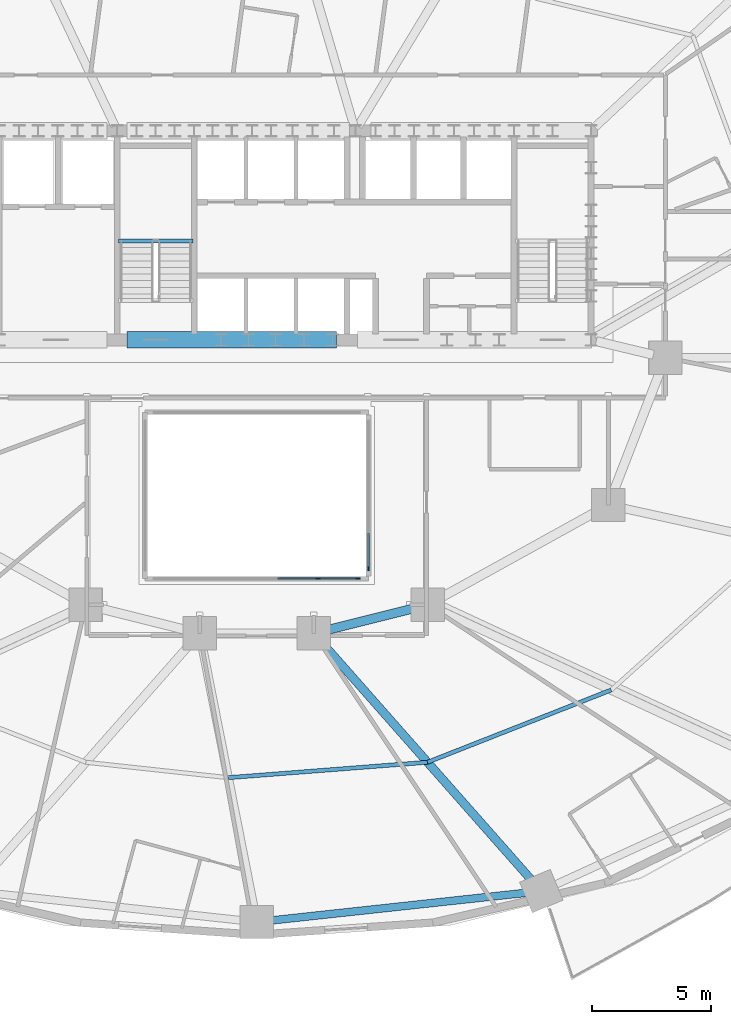
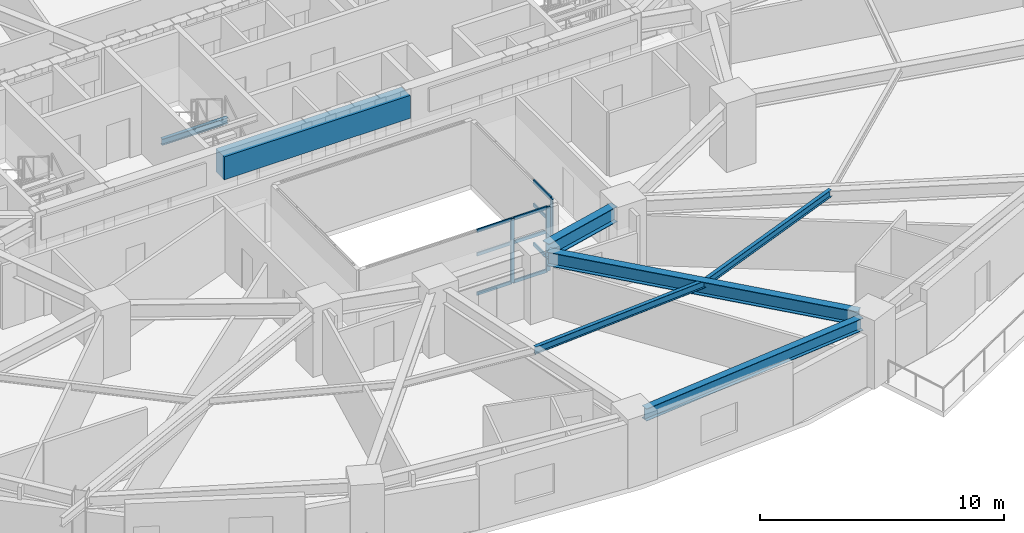
# One storey, part 5 of 17: 12 members, 7 beams, 2 elements without a shape of their own.
"""IFC4 building model written with IfcOpenShell, lengths in metres."""

from ifc_helpers import new_model, si_unit, direction, frame, origin, origin_2d, place, context, subcontext, project, spatial, rectangle, i_section, extrude, material, material_profile, profile_set, type_object, element, aggregate, save


model = new_model("IFC4")

# Units and contexts
model_context = context("Model", 3, precision=1e-05, world=origin(), true_north=direction((0.0, 1.0)))
body_context = subcontext(model_context, "Body", "Model", "MODEL_VIEW")
ifc_project = project(units=[si_unit("LENGTHUNIT", "METRE"), si_unit("AREAUNIT", "SQUARE_METRE"), si_unit("VOLUMEUNIT", "CUBIC_METRE"), si_unit("PLANEANGLEUNIT", "RADIAN"), si_unit("MASSUNIT", "GRAM", prefix="KILO")], contexts=[model_context])

# Site, building, storey
site_placement = place(None, origin())
site = spatial("IfcSite", under=ifc_project, at=site_placement, CompositionType="ELEMENT")
building_placement = place(site_placement, origin())
building = spatial("IfcBuilding", under=site, at=building_placement, Name="Haldorwick Loom Tower", CompositionType="ELEMENT")
storey_placement = place(building_placement, frame((0.0, 0.0, 58.5)))
storey = spatial("IfcBuildingStorey", under=building, at=storey_placement, Name="L15", CompositionType="ELEMENT", Elevation=58.5)

# Curtain wall, members
ifc_material_1 = material(Name="Thermally Broken Anodized Aluminium Curtain Wall Framing", Category="aluminium")
curtain_wall_type = type_object("IfcCurtainWallType", Name="ARC-CW-03", PredefinedType="NOTDEFINED", material=ifc_material_1)
curtain_wall_1_placement = place(storey_placement, origin())
curtain_wall_1 = element("IfcCurtainWall", 1, at=curtain_wall_1_placement, inside=storey, type_object=curtain_wall_type, Name="L15 Atrium Glazed Screen S", PredefinedType="NOTDEFINED")
ifc_material_profile_1 = material_profile(ifc_material_1, rectangle(XDim=0.06591796875, YDim=0.18505859375, at=origin_2d()), Name="ALU_MUL_66X185", Category="aluminium")
ifc_profile_set_1 = profile_set([ifc_material_profile_1], Name="Thermally Broken Anodized Aluminium Curtain Wall Framing")
member_type_1 = type_object("IfcMemberType", Name="ARC-CWM-03", PredefinedType="MULLION", material=ifc_profile_set_1)
member_1_placement = place(storey_placement, frame((40.26708984375, 16.699951171875, 0.0), z_axis=(0.0, 0.0, 1.0), x_axis=(0.0, -1.0, 0.0)))
member_1 = element("IfcMember", 2, at=member_1_placement, type_object=member_type_1, Name="CW-03 mullion 1", PredefinedType="MULLION", context=body_context, shape_type="SweptSolid", body=[
    extrude(rectangle(XDim=0.06591796875, YDim=0.18505859375, at=origin_2d()), origin(), (0.0, 0.0, 1.0), 3.2099609375),
])
member_2_placement = place(storey_placement, frame((38.580078125, 16.699951171875, 0.0), z_axis=(0.0, 0.0, 1.0), x_axis=(0.0, -1.0, 0.0)))
member_2 = element("IfcMember", 3, at=member_2_placement, type_object=member_type_1, Name="CW-03 mullion 2", PredefinedType="MULLION", context=body_context, shape_type="SweptSolid", body=[
    extrude(rectangle(XDim=0.06591796875, YDim=0.18505859375, at=origin_2d()), origin(), (0.0, 0.0, 1.0), 3.2099609375),
])

# Curtain wall, member
curtain_wall_2_placement = place(storey_placement, origin())
curtain_wall_2 = element("IfcCurtainWall", 4, at=curtain_wall_2_placement, inside=storey, type_object=curtain_wall_type, Name="L15 Atrium Glazed Screen E", PredefinedType="NOTDEFINED")
member_3_placement = place(storey_placement, frame((40.699951171875, 17.133056640625, 0.0), z_axis=(0.0, 0.0, 1.0), x_axis=(1.0, 0.0, 0.0)))
member_3 = element("IfcMember", 5, at=member_3_placement, type_object=member_type_1, Name="CW-03 mullion 5", PredefinedType="MULLION", context=body_context, shape_type="SweptSolid", body=[
    extrude(rectangle(XDim=0.06591796875, YDim=0.18505859375, at=origin_2d()), origin(), (0.0, 0.0, 1.0), 3.2099609375),
])

# Member
ifc_material_profile_2 = material_profile(ifc_material_1, rectangle(XDim=0.06591796875, YDim=0.1650390625, at=origin_2d()), Name="ALU_TRN_66X165", Category="aluminium")
ifc_profile_set_2 = profile_set([ifc_material_profile_2], Name="Thermally Broken Anodized Aluminium Curtain Wall Framing")
member_type_2 = type_object("IfcMemberType", Name="ARC-CWT-03", PredefinedType="USERDEFINED", material=ifc_profile_set_2)
member_4_placement = place(storey_placement, frame((40.23388671875, 16.699951171875, 0.032958984375), z_axis=(-1.0, 0.0, 0.0), x_axis=(0.0, -1.0, 0.0)))
member_4 = element("IfcMember", 6, at=member_4_placement, type_object=member_type_2, Name="CW-03 transom 1.1", ObjectType="TRANSOM", PredefinedType="USERDEFINED", context=body_context, shape_type="SweptSolid", body=[
    extrude(rectangle(XDim=0.06591796875, YDim=0.1650390625, at=origin_2d()), origin(), (0.0, 0.0, 1.0), 1.620849609375),
])

member_5_placement = place(storey_placement, frame((40.23388671875, 16.699951171875, 2.0), z_axis=(-1.0, 0.0, 0.0), x_axis=(0.0, -1.0, 0.0)))
member_5 = element("IfcMember", 7, at=member_5_placement, type_object=member_type_2, Name="CW-03 transom 1.2", ObjectType="TRANSOM", PredefinedType="USERDEFINED", context=body_context, shape_type="SweptSolid", body=[
    extrude(rectangle(XDim=0.06591796875, YDim=0.1650390625, at=origin_2d()), origin(), (0.0, 0.0, 1.0), 1.620849609375),
])

member_6_placement = place(storey_placement, frame((40.23388671875, 16.699951171875, 3.177001953125), z_axis=(-1.0, 0.0, 0.0), x_axis=(0.0, -1.0, 0.0)))
member_6 = element("IfcMember", 8, at=member_6_placement, type_object=member_type_2, Name="CW-03 transom 1.3", ObjectType="TRANSOM", PredefinedType="USERDEFINED", context=body_context, shape_type="SweptSolid", body=[
    extrude(rectangle(XDim=0.06591796875, YDim=0.1650390625, at=origin_2d()), origin(), (0.0, 0.0, 1.0), 1.620849609375),
])

member_7_placement = place(storey_placement, frame((38.547119140625, 16.699951171875, 0.032958984375), z_axis=(-1.0, 0.0, 0.0), x_axis=(0.0, -1.0, 0.0)))
member_7 = element("IfcMember", 9, at=member_7_placement, type_object=member_type_2, Name="CW-03 transom 2.1", ObjectType="TRANSOM", PredefinedType="USERDEFINED", context=body_context, shape_type="SweptSolid", body=[
    extrude(rectangle(XDim=0.06591796875, YDim=0.1650390625, at=origin_2d()), origin(), (0.0, 0.0, 1.0), 1.654052734375),
])

member_8_placement = place(storey_placement, frame((38.547119140625, 16.699951171875, 2.0), z_axis=(-1.0, 0.0, 0.0), x_axis=(0.0, -1.0, 0.0)))
member_8 = element("IfcMember", 10, at=member_8_placement, type_object=member_type_2, Name="CW-03 transom 2.2", ObjectType="TRANSOM", PredefinedType="USERDEFINED", context=body_context, shape_type="SweptSolid", body=[
    extrude(rectangle(XDim=0.06591796875, YDim=0.1650390625, at=origin_2d()), origin(), (0.0, 0.0, 1.0), 1.654052734375),
])

member_9_placement = place(storey_placement, frame((38.547119140625, 16.699951171875, 3.177001953125), z_axis=(-1.0, 0.0, 0.0), x_axis=(0.0, -1.0, 0.0)))
member_9 = element("IfcMember", 11, at=member_9_placement, type_object=member_type_2, Name="CW-03 transom 2.3", ObjectType="TRANSOM", PredefinedType="USERDEFINED", context=body_context, shape_type="SweptSolid", body=[
    extrude(rectangle(XDim=0.06591796875, YDim=0.1650390625, at=origin_2d()), origin(), (0.0, 0.0, 1.0), 1.654052734375),
])

aggregate(curtain_wall_1, [member_1, member_2, member_4, member_5, member_6, member_7, member_8, member_9])

member_10_placement = place(storey_placement, frame((40.699951171875, 18.616943359375, 0.032958984375), z_axis=(0.0, -1.0, 0.0), x_axis=(1.0, 0.0, 0.0)))
member_10 = element("IfcMember", 12, at=member_10_placement, type_object=member_type_2, Name="CW-03 transom 4.1", ObjectType="TRANSOM", PredefinedType="USERDEFINED", context=body_context, shape_type="SweptSolid", body=[
    extrude(rectangle(XDim=0.06591796875, YDim=0.1650390625, at=origin_2d()), origin(), (0.0, 0.0, 1.0), 1.450927734375),
])

member_11_placement = place(storey_placement, frame((40.699951171875, 18.616943359375, 2.0), z_axis=(0.0, -1.0, 0.0), x_axis=(1.0, 0.0, 0.0)))
member_11 = element("IfcMember", 13, at=member_11_placement, type_object=member_type_2, Name="CW-03 transom 4.2", ObjectType="TRANSOM", PredefinedType="USERDEFINED", context=body_context, shape_type="SweptSolid", body=[
    extrude(rectangle(XDim=0.06591796875, YDim=0.1650390625, at=origin_2d()), origin(), (0.0, 0.0, 1.0), 1.450927734375),
])

member_12_placement = place(storey_placement, frame((40.699951171875, 18.616943359375, 3.177001953125), z_axis=(0.0, -1.0, 0.0), x_axis=(1.0, 0.0, 0.0)))
member_12 = element("IfcMember", 14, at=member_12_placement, type_object=member_type_2, Name="CW-03 transom 4.3", ObjectType="TRANSOM", PredefinedType="USERDEFINED", context=body_context, shape_type="SweptSolid", body=[
    extrude(rectangle(XDim=0.06591796875, YDim=0.1650390625, at=origin_2d()), origin(), (0.0, 0.0, 1.0), 1.450927734375),
])

aggregate(curtain_wall_2, [member_3, member_10, member_11, member_12])

# Beams
ifc_material_2 = material(Name="Concrete C60 (60 MPa)", Category="concrete")
ifc_material_profile_3 = material_profile(ifc_material_2, rectangle(XDim=0.699951171875, YDim=1.14990234375, at=origin_2d()), Name="RC700X1150", Category="concrete")
ifc_profile_set_3 = profile_set([ifc_material_profile_3], Name="Concrete C60 (60 MPa)")
beam_type_1 = type_object("IfcBeamType", Name="STR-BM-CB1150", PredefinedType="LINTEL", material=ifc_profile_set_3)
beam_1_placement = place(storey_placement, frame((30.550048828125, 26.75, 2.635009765625), z_axis=(1.0, 0.0, 0.0), x_axis=(0.0, 1.0, 0.0)))
element("IfcBeam", 15, at=beam_1_placement, inside=storey, type_object=beam_type_1, Name="L15 Core Coupling Beam CB-S2", PredefinedType="LINTEL", context=body_context, shape_type="SweptSolid", body=[
    extrude(rectangle(XDim=0.699951171875, YDim=1.14990234375, at=origin_2d()), origin(), (0.0, 0.0, 1.0), 8.800048828125),
])
ifc_material_3 = material(Name="Steel CSA G40.21 350W", Category="steel")
ifc_material_profile_4 = material_profile(ifc_material_3, i_section(OverallWidth=0.172119140625, OverallDepth=0.35791015625, WebThickness=0.0078125, FlangeThickness=0.01318359375, at=origin_2d()), Name="W360X57", Category="steel")
ifc_profile_set_4 = profile_set([ifc_material_profile_4], Name="Steel CSA G40.21 350W")
beam_type_2 = type_object("IfcBeamType", Name="STR-BM-J360", PredefinedType="JOIST", material=ifc_profile_set_4)
beam_2_placement = place(storey_placement, frame((34.800048828125, 8.324951171875, 3.031005859375), z_axis=(0.99701252039, 0.077240107368, 0.0), x_axis=(-0.077240107368, 0.99701252039, 0.0)))
element("IfcBeam", 16, at=beam_2_placement, inside=storey, type_object=beam_type_2, Name="L15 Mid-Bay Secondary Joist 13", PredefinedType="JOIST", context=body_context, shape_type="SweptSolid", body=[
    extrude(i_section(OverallWidth=0.172119140625, OverallDepth=0.35791015625, WebThickness=0.0078125, FlangeThickness=0.01318359375, at=origin_2d()), origin(), (0.0, 0.0, 1.0), 8.4140625),
])
beam_3_placement = place(storey_placement, frame((43.18896484375, 8.974853515625, 3.031005859375), z_axis=(0.930584838237, 0.366076301941, 0.0), x_axis=(-0.366076301941, 0.930584838237, 0.0)))
element("IfcBeam", 17, at=beam_3_placement, inside=storey, type_object=beam_type_2, Name="L15 Mid-Bay Secondary Joist 14", PredefinedType="JOIST", context=body_context, shape_type="SweptSolid", body=[
    extrude(i_section(OverallWidth=0.172119140625, OverallDepth=0.35791015625, WebThickness=0.0078125, FlangeThickness=0.01318359375, at=origin_2d()), origin(), (0.0, 0.0, 1.0), 8.302490234375),
])
ifc_material_profile_5 = material_profile(ifc_material_3, i_section(OverallWidth=0.324951171875, OverallDepth=0.615966796875, WebThickness=0.013916015625, FlangeThickness=0.021484375, at=origin_2d()), Name="W610X174", Category="steel")
ifc_profile_set_5 = profile_set([ifc_material_profile_5], Name="Steel CSA G40.21 350W")
beam_type_3 = type_object("IfcBeamType", Name="STR-BM-SP610", PredefinedType="SPANDREL", material=ifc_profile_set_5)
beam_4_placement = place(storey_placement, frame((36.51708984375, 2.30615234375, 2.902099609375), z_axis=(0.994164438636, 0.107875247167, 0.0), x_axis=(-0.107875247167, 0.994164438636, 0.0)))
element("IfcBeam", 18, at=beam_4_placement, inside=storey, type_object=beam_type_3, Name="L15 Perimeter Spandrel 13", PredefinedType="SPANDREL", context=body_context, shape_type="SweptSolid", body=[
    extrude(i_section(OverallWidth=0.324951171875, OverallDepth=0.615966796875, WebThickness=0.013916015625, FlangeThickness=0.021484375, at=origin_2d()), origin(), (0.0, 0.0, 1.0), 11.008056640625),
])
ifc_material_profile_6 = material_profile(ifc_material_3, i_section(OverallWidth=0.166015625, OverallDepth=0.31298828125, WebThickness=0.006591796875, FlangeThickness=0.01123046875, at=origin_2d()), Name="W310X45", Category="steel")
ifc_profile_set_6 = profile_set([ifc_material_profile_6], Name="Steel CSA G40.21 350W")
beam_type_4 = type_object("IfcBeamType", Name="STR-BM-STRM", PredefinedType="BEAM", material=ifc_profile_set_6)
beam_5_placement = place(storey_placement, frame((30.18994140625, 30.919921875, 1.368408203125), z_axis=(1.0, 0.0, 0.0), x_axis=(0.0, 1.0, 0.0)))
element("IfcBeam", 19, at=beam_5_placement, inside=storey, type_object=beam_type_4, Name="L15 Stair ST-03 Half-Landing Trimmer 1", PredefinedType="BEAM", context=body_context, shape_type="SweptSolid", body=[
    extrude(i_section(OverallWidth=0.166015625, OverallDepth=0.31298828125, WebThickness=0.006591796875, FlangeThickness=0.01123046875, at=origin_2d()), origin(), (0.0, 0.0, 1.0), 3.1201171875),
])
ifc_material_profile_7 = material_profile(ifc_material_3, i_section(OverallWidth=0.35498046875, OverallDepth=0.695068359375, WebThickness=0.015380859375, FlangeThickness=0.02490234375, at=origin_2d()), Name="W690X217", Category="steel")
ifc_profile_set_7 = profile_set([ifc_material_profile_7], Name="Steel CSA G40.21 350W")
beam_type_5 = type_object("IfcBeamType", Name="STR-BM-W690", PredefinedType="BEAM", material=ifc_profile_set_7)
beam_6_placement = place(storey_placement, frame((38.744140625, 14.01025390625, 2.862548828125), z_axis=(0.661774304332, -0.749703121326, 0.0), x_axis=(0.749703121326, 0.661774304332, 0.0)))
element("IfcBeam", 20, at=beam_6_placement, inside=storey, type_object=beam_type_5, Name="L15 Radial Floor Girder 14", PredefinedType="BEAM", context=body_context, shape_type="SweptSolid", body=[
    extrude(i_section(OverallWidth=0.35498046875, OverallDepth=0.695068359375, WebThickness=0.015380859375, FlangeThickness=0.02490234375, at=origin_2d()), origin(), (0.0, 0.0, 1.0), 13.43310546875),
])
ifc_material_profile_8 = material_profile(ifc_material_3, i_section(OverallWidth=0.381103515625, OverallDepth=0.77294921875, WebThickness=0.0166015625, FlangeThickness=0.027587890625, at=origin_2d()), Name="W760X257", Category="steel")
ifc_profile_set_8 = profile_set([ifc_material_profile_8], Name="Steel CSA G40.21 350W")
beam_type_6 = type_object("IfcBeamType", Name="STR-BM-W760", PredefinedType="BEAM", material=ifc_profile_set_8)
beam_7_placement = place(storey_placement, frame((42.695556640625, 15.473876953125, 2.823486328125), z_axis=(-0.970142500145, -0.242535625036, 0.0), x_axis=(0.242535625036, -0.970142500145, 0.0)))
element("IfcBeam", 21, at=beam_7_placement, inside=storey, type_object=beam_type_6, Name="L15 Inner Ring Girder 4", PredefinedType="BEAM", context=body_context, shape_type="SweptSolid", body=[
    extrude(i_section(OverallWidth=0.381103515625, OverallDepth=0.77294921875, WebThickness=0.0166015625, FlangeThickness=0.027587890625, at=origin_2d()), origin(), (0.0, 0.0, 1.0), 3.90771484375),
])

save(model, "model.ifc")
